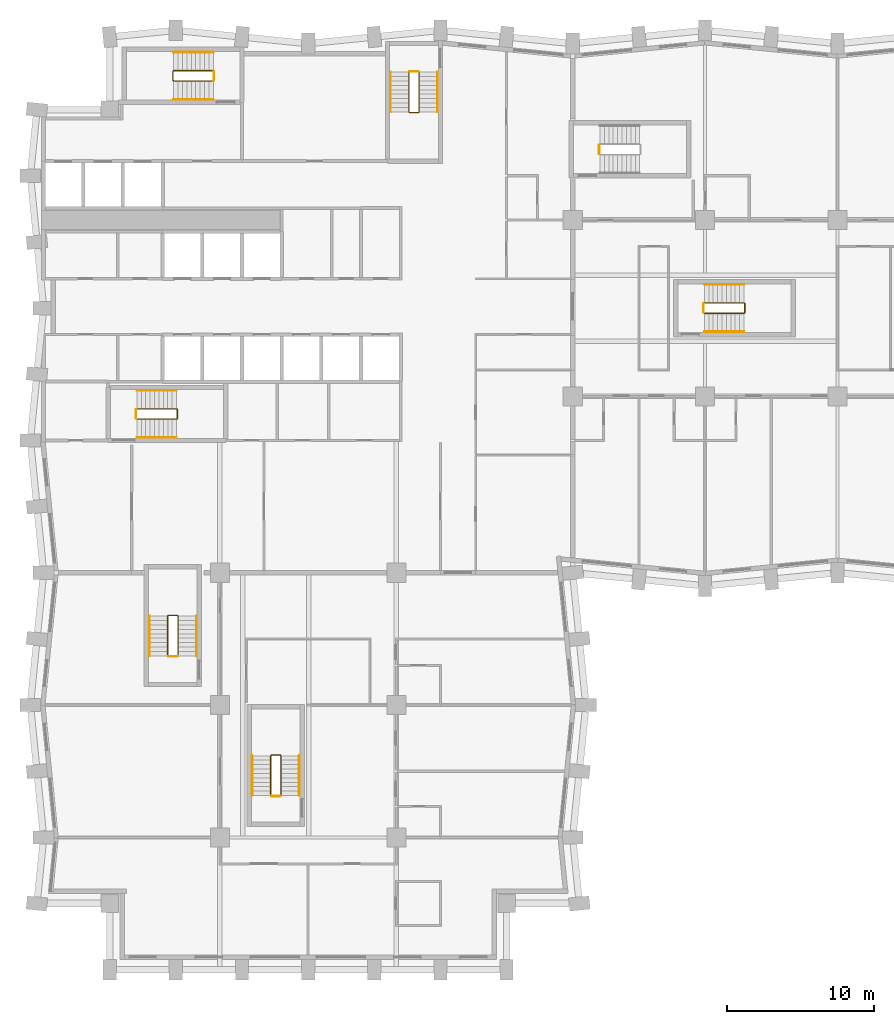
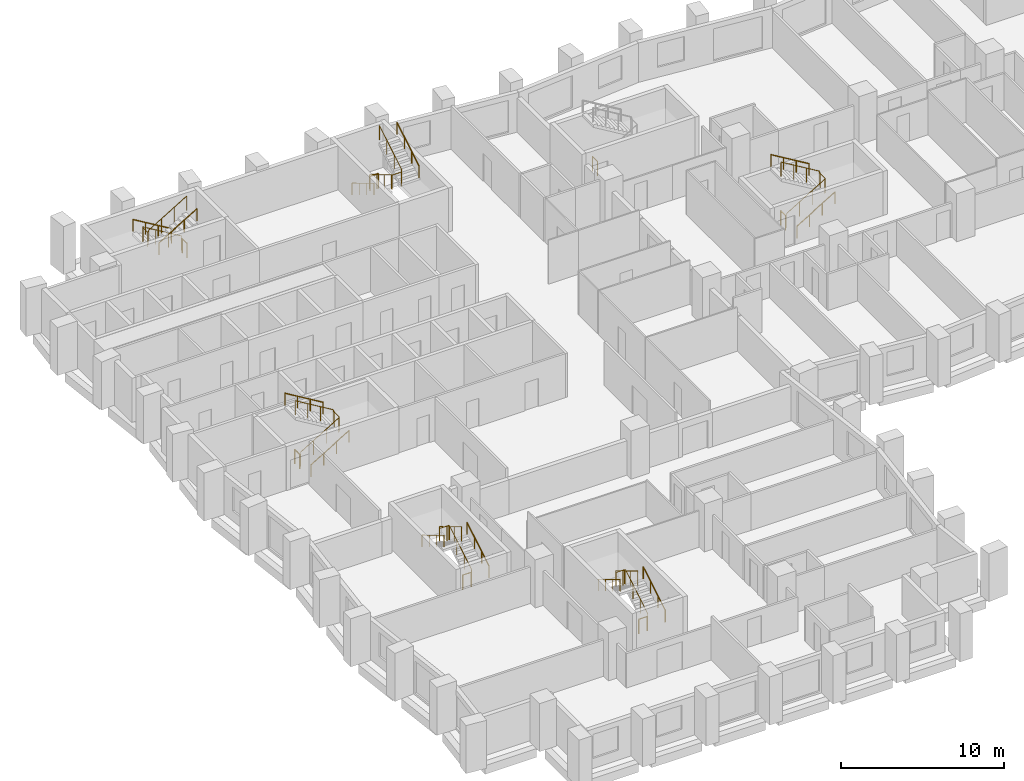
# One storey, part 11 of 12: 25 railings.
"""IFC4 building model written with IfcOpenShell, lengths in metres."""

from ifc_helpers import new_model, si_unit, direction, frame, origin, origin_2d, place, context, subcontext, project, spatial, circle, extrude, material, type_object, element, save


model = new_model("IFC4")

# Units and contexts
model_context = context("Model", 3, precision=1e-05, world=origin(), true_north=direction((0.0, 1.0)))
body_context = subcontext(model_context, "Body", "Model", "MODEL_VIEW")
ifc_project = project(units=[si_unit("LENGTHUNIT", "METRE"), si_unit("AREAUNIT", "SQUARE_METRE"), si_unit("VOLUMEUNIT", "CUBIC_METRE"), si_unit("PLANEANGLEUNIT", "RADIAN"), si_unit("MASSUNIT", "GRAM", prefix="KILO")], contexts=[model_context])

# Site, building, storey
site_placement = place(None, origin())
site = spatial("IfcSite", under=ifc_project, at=site_placement, CompositionType="ELEMENT")
building_placement = place(site_placement, origin())
building = spatial("IfcBuilding", under=site, at=building_placement, Name="Brondeck Convention Tower", CompositionType="ELEMENT")
storey_placement = place(building_placement, frame((0.0, 0.0, 77.10009765625)))
storey = spatial("IfcBuildingStorey", under=building, at=storey_placement, Name="L17", CompositionType="ELEMENT", Elevation=77.10009765625)

# Railings
ifc_material = material(Name="Steel S355", Category="steel")
railing_type_1 = type_object("IfcRailingType", Name="Stair guard 1100", PredefinedType="GUARDRAIL", material=ifc_material)
railing_1_placement = place(storey_placement, frame((6.35009765625, 37.449951171875, 0.179931640625)))
element("IfcRailing", 1, at=railing_1_placement, inside=storey, type_object=railing_type_1, Name="L17 ST-1 stair guard 1", PredefinedType="GUARDRAIL", context=body_context, shape_type="SweptSolid", body=[
    extrude(circle(Radius=0.02392578125, at=origin_2d()), frame((0.0, 0.0, 1.076171875), z_axis=(0.857506608807, 0.0, 0.514472949583), x_axis=(0.0, 1.0, 0.0)), (0.0, 0.0, 1.0), 3.148681640625),
    extrude(circle(Radius=0.02392578125, at=origin_2d()), frame((2.699951171875, 0.0, 2.69580078125), z_axis=(0.707106781187, 0.707106781187, 0.0), x_axis=(-0.707106781187, 0.707106781187, 0.0)), (0.0, 0.0, 1.0), 0.07080078125),
    extrude(circle(Radius=0.02392578125, at=origin_2d()), frame((2.75, 0.050048828125, 2.69580078125), z_axis=(0.0, 1.0, 0.0), x_axis=(-1.0, 0.0, 0.0)), (0.0, 0.0, 1.0), 0.60009765625),
    extrude(circle(Radius=0.02392578125, at=origin_2d()), frame((2.75, 0.650146484375, 2.69580078125), z_axis=(-0.258627984543, 0.257366384619, 0.931060744355), x_axis=(-0.705375805398, -0.708833529934, 0.0)), (0.0, 0.0, 1.0), 0.193603515625),
    extrude(circle(Radius=0.02392578125, at=origin_2d()), frame((2.699951171875, 0.699951171875, 2.8759765625), z_axis=(-0.857506608807, 0.0, 0.514472949583), x_axis=(0.0, -1.0, 0.0)), (0.0, 0.0, 1.0), 3.148681640625),
    extrude(circle(Radius=0.02099609375, at=origin_2d()), origin(), (0.0, 0.0, 1.0), 1.052001953125),
    extrude(circle(Radius=0.02099609375, at=origin_2d()), frame((0.89990234375, 0.0, 0.5400390625)), (0.0, 0.0, 1.0), 1.052001953125),
    extrude(circle(Radius=0.02099609375, at=origin_2d()), frame((1.800048828125, 0.0, 1.079833984375)), (0.0, 0.0, 1.0), 1.052001953125),
    extrude(circle(Radius=0.02099609375, at=origin_2d()), frame((2.699951171875, 0.0, 1.619873046875)), (0.0, 0.0, 1.0), 1.052001953125),
    extrude(circle(Radius=0.02099609375, at=origin_2d()), frame((2.75, 0.050048828125, 1.619873046875)), (0.0, 0.0, 1.0), 1.052001953125),
    extrude(circle(Radius=0.02099609375, at=origin_2d()), frame((2.75, 0.650146484375, 1.619873046875)), (0.0, 0.0, 1.0), 1.052001953125),
    extrude(circle(Radius=0.02099609375, at=origin_2d()), frame((2.699951171875, 0.699951171875, 1.800048828125)), (0.0, 0.0, 1.0), 1.052001953125),
    extrude(circle(Radius=0.02099609375, at=origin_2d()), frame((1.800048828125, 0.699951171875, 2.340087890625)), (0.0, 0.0, 1.0), 1.052001953125),
    extrude(circle(Radius=0.02099609375, at=origin_2d()), frame((0.89990234375, 0.699951171875, 2.8798828125)), (0.0, 0.0, 1.0), 1.052001953125),
    extrude(circle(Radius=0.02099609375, at=origin_2d()), frame((0.0, 0.699951171875, 3.419921875)), (0.0, 0.0, 1.0), 1.052001953125),
])
railing_2_placement = place(storey_placement, frame((6.300048828125, 37.5, 0.0)))
element("IfcRailing", 2, at=railing_2_placement, inside=storey, type_object=railing_type_1, Name="L17 ST-1 stair guard 2", PredefinedType="GUARDRAIL", context=body_context, shape_type="SweptSolid", body=[
    extrude(circle(Radius=0.02392578125, at=origin_2d()), frame((0.0, 0.0, 1.076171875), z_axis=(0.0, 1.0, 0.0), x_axis=(-1.0, 0.0, 0.0)), (0.0, 0.0, 1.0), 0.60009765625),
    extrude(circle(Radius=0.02099609375, at=origin_2d()), origin(), (0.0, 0.0, 1.0), 1.052001953125),
    extrude(circle(Radius=0.02099609375, at=origin_2d()), frame((0.0, 0.60009765625, 0.0)), (0.0, 0.0, 1.0), 1.052001953125),
])
railing_3_placement = place(storey_placement, frame((24.85009765625, 61.050048828125, 0.179931640625)))
element("IfcRailing", 3, at=railing_3_placement, inside=storey, type_object=railing_type_1, Name="L17 ST-2 stair guard 1", PredefinedType="GUARDRAIL", context=body_context, shape_type="SweptSolid", body=[
    extrude(circle(Radius=0.02392578125, at=origin_2d()), frame((0.0, 0.0, 1.076171875), z_axis=(0.0, -0.857506608807, 0.514472949583), x_axis=(1.0, 0.0, 0.0)), (0.0, 0.0, 1.0), 3.148681640625),
    extrude(circle(Radius=0.02392578125, at=origin_2d()), frame((0.0, -2.699951171875, 2.69580078125), z_axis=(0.705375805398, -0.708833529934, 0.0), x_axis=(0.708833529934, 0.705375805398, 0.0)), (0.0, 0.0, 1.0), 0.070556640625),
    extrude(circle(Radius=0.02392578125, at=origin_2d()), frame((0.0498046875, -2.75, 2.69580078125), z_axis=(1.0, 0.0, 0.0), x_axis=(0.0, 1.0, 0.0)), (0.0, 0.0, 1.0), 0.60009765625),
    extrude(circle(Radius=0.02392578125, at=origin_2d()), frame((0.64990234375, -2.75, 2.69580078125), z_axis=(0.258543844998, 0.258543844998, 0.930757841991), x_axis=(-0.707106781187, 0.707106781187, 0.0)), (0.0, 0.0, 1.0), 0.193603515625),
    extrude(circle(Radius=0.02392578125, at=origin_2d()), frame((0.699951171875, -2.699951171875, 2.8759765625), z_axis=(0.0, 0.857506608807, 0.514472949583), x_axis=(-1.0, 0.0, 0.0)), (0.0, 0.0, 1.0), 3.148681640625),
    extrude(circle(Radius=0.02099609375, at=origin_2d()), origin(), (0.0, 0.0, 1.0), 1.052001953125),
    extrude(circle(Radius=0.02099609375, at=origin_2d()), frame((0.0, -0.89990234375, 0.5400390625)), (0.0, 0.0, 1.0), 1.052001953125),
    extrude(circle(Radius=0.02099609375, at=origin_2d()), frame((0.0, -1.800048828125, 1.079833984375)), (0.0, 0.0, 1.0), 1.052001953125),
    extrude(circle(Radius=0.02099609375, at=origin_2d()), frame((0.0, -2.699951171875, 1.619873046875)), (0.0, 0.0, 1.0), 1.052001953125),
    extrude(circle(Radius=0.02099609375, at=origin_2d()), frame((0.0498046875, -2.75, 1.619873046875)), (0.0, 0.0, 1.0), 1.052001953125),
    extrude(circle(Radius=0.02099609375, at=origin_2d()), frame((0.64990234375, -2.75, 1.619873046875)), (0.0, 0.0, 1.0), 1.052001953125),
    extrude(circle(Radius=0.02099609375, at=origin_2d()), frame((0.699951171875, -2.699951171875, 1.800048828125)), (0.0, 0.0, 1.0), 1.052001953125),
    extrude(circle(Radius=0.02099609375, at=origin_2d()), frame((0.699951171875, -1.800048828125, 2.340087890625)), (0.0, 0.0, 1.0), 1.052001953125),
    extrude(circle(Radius=0.02099609375, at=origin_2d()), frame((0.699951171875, -0.89990234375, 2.8798828125)), (0.0, 0.0, 1.0), 1.052001953125),
    extrude(circle(Radius=0.02099609375, at=origin_2d()), frame((0.699951171875, 0.0, 3.419921875)), (0.0, 0.0, 1.0), 1.052001953125),
])
railing_4_placement = place(storey_placement, frame((24.89990234375, 61.10009765625, 0.0)))
element("IfcRailing", 4, at=railing_4_placement, inside=storey, type_object=railing_type_1, Name="L17 ST-2 stair guard 2", PredefinedType="GUARDRAIL", context=body_context, shape_type="SweptSolid", body=[
    extrude(circle(Radius=0.02392578125, at=origin_2d()), frame((0.0, 0.0, 1.076171875), z_axis=(1.0, 0.0, 0.0), x_axis=(0.0, 1.0, 0.0)), (0.0, 0.0, 1.0), 0.60009765625),
    extrude(circle(Radius=0.02099609375, at=origin_2d()), origin(), (0.0, 0.0, 1.0), 1.052001953125),
    extrude(circle(Radius=0.02099609375, at=origin_2d()), frame((0.60009765625, 0.0, 0.0)), (0.0, 0.0, 1.0), 1.052001953125),
])
railing_5_placement = place(storey_placement, frame((11.550048828125, 61.14990234375, 0.179931640625)))
element("IfcRailing", 5, at=railing_5_placement, inside=storey, type_object=railing_type_1, Name="L17 ST-3 stair guard 1", PredefinedType="GUARDRAIL", context=body_context, shape_type="SweptSolid", body=[
    extrude(circle(Radius=0.02392578125, at=origin_2d()), frame((0.0, 0.0, 1.076171875), z_axis=(-0.857506608807, 0.0, 0.514472949583), x_axis=(0.0, -1.0, 0.0)), (0.0, 0.0, 1.0), 3.148681640625),
    extrude(circle(Radius=0.02392578125, at=origin_2d()), frame((-2.699951171875, 0.0, 2.69580078125), z_axis=(-0.708833529934, -0.705375805398, 0.0), x_axis=(0.705375805398, -0.708833529934, 0.0)), (0.0, 0.0, 1.0), 0.070556640625),
    extrude(circle(Radius=0.02392578125, at=origin_2d()), frame((-2.75, -0.0498046875, 2.69580078125), z_axis=(0.0, -1.0, 0.0), x_axis=(1.0, 0.0, 0.0)), (0.0, 0.0, 1.0), 0.60009765625),
    extrude(circle(Radius=0.02392578125, at=origin_2d()), frame((-2.75, -0.64990234375, 2.69580078125), z_axis=(0.258543844998, -0.258543844998, 0.930757841991), x_axis=(0.707106781187, 0.707106781187, 0.0)), (0.0, 0.0, 1.0), 0.193603515625),
    extrude(circle(Radius=0.02392578125, at=origin_2d()), frame((-2.699951171875, -0.699951171875, 2.8759765625), z_axis=(0.857506608807, 0.0, 0.514472949583), x_axis=(0.0, 1.0, 0.0)), (0.0, 0.0, 1.0), 3.148681640625),
    extrude(circle(Radius=0.02099609375, at=origin_2d()), origin(), (0.0, 0.0, 1.0), 1.052001953125),
    extrude(circle(Radius=0.02099609375, at=origin_2d()), frame((-0.89990234375, 0.0, 0.5400390625)), (0.0, 0.0, 1.0), 1.052001953125),
    extrude(circle(Radius=0.02099609375, at=origin_2d()), frame((-1.800048828125, 0.0, 1.079833984375)), (0.0, 0.0, 1.0), 1.052001953125),
    extrude(circle(Radius=0.02099609375, at=origin_2d()), frame((-2.699951171875, 0.0, 1.619873046875)), (0.0, 0.0, 1.0), 1.052001953125),
    extrude(circle(Radius=0.02099609375, at=origin_2d()), frame((-2.75, -0.0498046875, 1.619873046875)), (0.0, 0.0, 1.0), 1.052001953125),
    extrude(circle(Radius=0.02099609375, at=origin_2d()), frame((-2.75, -0.64990234375, 1.619873046875)), (0.0, 0.0, 1.0), 1.052001953125),
    extrude(circle(Radius=0.02099609375, at=origin_2d()), frame((-2.699951171875, -0.699951171875, 1.800048828125)), (0.0, 0.0, 1.0), 1.052001953125),
    extrude(circle(Radius=0.02099609375, at=origin_2d()), frame((-1.800048828125, -0.699951171875, 2.340087890625)), (0.0, 0.0, 1.0), 1.052001953125),
    extrude(circle(Radius=0.02099609375, at=origin_2d()), frame((-0.89990234375, -0.699951171875, 2.8798828125)), (0.0, 0.0, 1.0), 1.052001953125),
    extrude(circle(Radius=0.02099609375, at=origin_2d()), frame((0.0, -0.699951171875, 3.419921875)), (0.0, 0.0, 1.0), 1.052001953125),
])
railing_6_placement = place(storey_placement, frame((11.60009765625, 61.10009765625, 0.0)))
element("IfcRailing", 6, at=railing_6_placement, inside=storey, type_object=railing_type_1, Name="L17 ST-3 stair guard 2", PredefinedType="GUARDRAIL", context=body_context, shape_type="SweptSolid", body=[
    extrude(circle(Radius=0.02392578125, at=origin_2d()), frame((0.0, 0.0, 1.076171875), z_axis=(0.0, -1.0, 0.0), x_axis=(1.0, 0.0, 0.0)), (0.0, 0.0, 1.0), 0.60009765625),
    extrude(circle(Radius=0.02099609375, at=origin_2d()), origin(), (0.0, 0.0, 1.0), 1.052001953125),
    extrude(circle(Radius=0.02099609375, at=origin_2d()), frame((0.0, -0.60009765625, 0.0)), (0.0, 0.0, 1.0), 1.052001953125),
])
railing_7_placement = place(storey_placement, frame((37.800048828125, 55.5, 0.0)))
element("IfcRailing", 7, at=railing_7_placement, inside=storey, type_object=railing_type_1, Name="L17 ST-AE stair guard 2", PredefinedType="GUARDRAIL", context=body_context, shape_type="SweptSolid", body=[
    extrude(circle(Radius=0.02392578125, at=origin_2d()), frame((0.0, 0.0, 1.076171875), z_axis=(0.0, 1.0, 0.0), x_axis=(-1.0, 0.0, 0.0)), (0.0, 0.0, 1.0), 0.60009765625),
    extrude(circle(Radius=0.02099609375, at=origin_2d()), origin(), (0.0, 0.0, 1.0), 1.052001953125),
    extrude(circle(Radius=0.02099609375, at=origin_2d()), frame((0.0, 0.60009765625, 0.0)), (0.0, 0.0, 1.0), 1.052001953125),
])
railing_8_placement = place(storey_placement, frame((9.14990234375, 21.35009765625, 0.179931640625)))
element("IfcRailing", 8, at=railing_8_placement, inside=storey, type_object=railing_type_1, Name="L17 ST-BE stair guard 1", PredefinedType="GUARDRAIL", context=body_context, shape_type="SweptSolid", body=[
    extrude(circle(Radius=0.02392578125, at=origin_2d()), frame((0.0, 0.0, 1.076171875), z_axis=(0.0, 0.857506608807, 0.514472949583), x_axis=(-1.0, 0.0, 0.0)), (0.0, 0.0, 1.0), 3.148681640625),
    extrude(circle(Radius=0.02392578125, at=origin_2d()), frame((0.0, 2.699951171875, 2.69580078125), z_axis=(-0.705375805398, 0.708833529934, 0.0), x_axis=(-0.708833529934, -0.705375805398, 0.0)), (0.0, 0.0, 1.0), 0.070556640625),
    extrude(circle(Radius=0.02392578125, at=origin_2d()), frame((-0.0498046875, 2.75, 2.69580078125), z_axis=(-1.0, 0.0, 0.0), x_axis=(0.0, -1.0, 0.0)), (0.0, 0.0, 1.0), 0.60009765625),
    extrude(circle(Radius=0.02392578125, at=origin_2d()), frame((-0.64990234375, 2.75, 2.69580078125), z_axis=(-0.258543844998, -0.258543844998, 0.930757841991), x_axis=(0.707106781187, -0.707106781187, 0.0)), (0.0, 0.0, 1.0), 0.193603515625),
    extrude(circle(Radius=0.02392578125, at=origin_2d()), frame((-0.699951171875, 2.699951171875, 2.8759765625), z_axis=(0.0, -0.857506608807, 0.514472949583), x_axis=(1.0, 0.0, 0.0)), (0.0, 0.0, 1.0), 3.148681640625),
    extrude(circle(Radius=0.02099609375, at=origin_2d()), origin(), (0.0, 0.0, 1.0), 1.052001953125),
    extrude(circle(Radius=0.02099609375, at=origin_2d()), frame((0.0, 0.89990234375, 0.5400390625)), (0.0, 0.0, 1.0), 1.052001953125),
    extrude(circle(Radius=0.02099609375, at=origin_2d()), frame((0.0, 1.800048828125, 1.079833984375)), (0.0, 0.0, 1.0), 1.052001953125),
    extrude(circle(Radius=0.02099609375, at=origin_2d()), frame((0.0, 2.699951171875, 1.619873046875)), (0.0, 0.0, 1.0), 1.052001953125),
    extrude(circle(Radius=0.02099609375, at=origin_2d()), frame((-0.0498046875, 2.75, 1.619873046875)), (0.0, 0.0, 1.0), 1.052001953125),
    extrude(circle(Radius=0.02099609375, at=origin_2d()), frame((-0.64990234375, 2.75, 1.619873046875)), (0.0, 0.0, 1.0), 1.052001953125),
    extrude(circle(Radius=0.02099609375, at=origin_2d()), frame((-0.699951171875, 2.699951171875, 1.800048828125)), (0.0, 0.0, 1.0), 1.052001953125),
    extrude(circle(Radius=0.02099609375, at=origin_2d()), frame((-0.699951171875, 1.800048828125, 2.340087890625)), (0.0, 0.0, 1.0), 1.052001953125),
    extrude(circle(Radius=0.02099609375, at=origin_2d()), frame((-0.699951171875, 0.89990234375, 2.8798828125)), (0.0, 0.0, 1.0), 1.052001953125),
    extrude(circle(Radius=0.02099609375, at=origin_2d()), frame((-0.699951171875, 0.0, 3.419921875)), (0.0, 0.0, 1.0), 1.052001953125),
])
railing_9_placement = place(storey_placement, frame((9.10009765625, 21.300048828125, 0.0)))
element("IfcRailing", 9, at=railing_9_placement, inside=storey, type_object=railing_type_1, Name="L17 ST-BE stair guard 2", PredefinedType="GUARDRAIL", context=body_context, shape_type="SweptSolid", body=[
    extrude(circle(Radius=0.02392578125, at=origin_2d()), frame((0.0, 0.0, 1.076171875), z_axis=(-1.0, 0.0, 0.0), x_axis=(0.0, -1.0, 0.0)), (0.0, 0.0, 1.0), 0.60009765625),
    extrude(circle(Radius=0.02099609375, at=origin_2d()), origin(), (0.0, 0.0, 1.0), 1.052001953125),
    extrude(circle(Radius=0.02099609375, at=origin_2d()), frame((-0.60009765625, 0.0, 0.0)), (0.0, 0.0, 1.0), 1.052001953125),
])
railing_10_placement = place(storey_placement, frame((44.949951171875, 44.64990234375, 0.179931640625)))
element("IfcRailing", 10, at=railing_10_placement, inside=storey, type_object=railing_type_1, Name="L17 ST-AF stair guard 1", PredefinedType="GUARDRAIL", context=body_context, shape_type="SweptSolid", body=[
    extrude(circle(Radius=0.02392578125, at=origin_2d()), frame((0.0, 0.0, 1.076171875), z_axis=(0.857506608807, 0.0, 0.514472949583), x_axis=(0.0, 1.0, 0.0)), (0.0, 0.0, 1.0), 3.148681640625),
    extrude(circle(Radius=0.02392578125, at=origin_2d()), frame((2.699951171875, 0.0, 2.69580078125), z_axis=(0.707106781187, 0.707106781187, 0.0), x_axis=(-0.707106781187, 0.707106781187, 0.0)), (0.0, 0.0, 1.0), 0.07080078125),
    extrude(circle(Radius=0.02392578125, at=origin_2d()), frame((2.75, 0.050048828125, 2.69580078125), z_axis=(0.0, 1.0, 0.0), x_axis=(-1.0, 0.0, 0.0)), (0.0, 0.0, 1.0), 0.60009765625),
    extrude(circle(Radius=0.02392578125, at=origin_2d()), frame((2.75, 0.650146484375, 2.69580078125), z_axis=(-0.258543844998, 0.258543844998, 0.930757841991), x_axis=(-0.707106781187, -0.707106781187, 0.0)), (0.0, 0.0, 1.0), 0.193603515625),
    extrude(circle(Radius=0.02392578125, at=origin_2d()), frame((2.699951171875, 0.7001953125, 2.8759765625), z_axis=(-0.857506608807, 0.0, 0.514472949583), x_axis=(0.0, -1.0, 0.0)), (0.0, 0.0, 1.0), 3.148681640625),
    extrude(circle(Radius=0.02099609375, at=origin_2d()), origin(), (0.0, 0.0, 1.0), 1.052001953125),
    extrude(circle(Radius=0.02099609375, at=origin_2d()), frame((0.89990234375, 0.0, 0.5400390625)), (0.0, 0.0, 1.0), 1.052001953125),
    extrude(circle(Radius=0.02099609375, at=origin_2d()), frame((1.800048828125, 0.0, 1.079833984375)), (0.0, 0.0, 1.0), 1.052001953125),
    extrude(circle(Radius=0.02099609375, at=origin_2d()), frame((2.699951171875, 0.0, 1.619873046875)), (0.0, 0.0, 1.0), 1.052001953125),
    extrude(circle(Radius=0.02099609375, at=origin_2d()), frame((2.75, 0.050048828125, 1.619873046875)), (0.0, 0.0, 1.0), 1.052001953125),
    extrude(circle(Radius=0.02099609375, at=origin_2d()), frame((2.75, 0.650146484375, 1.619873046875)), (0.0, 0.0, 1.0), 1.052001953125),
    extrude(circle(Radius=0.02099609375, at=origin_2d()), frame((2.699951171875, 0.7001953125, 1.800048828125)), (0.0, 0.0, 1.0), 1.052001953125),
    extrude(circle(Radius=0.02099609375, at=origin_2d()), frame((1.800048828125, 0.7001953125, 2.340087890625)), (0.0, 0.0, 1.0), 1.052001953125),
    extrude(circle(Radius=0.02099609375, at=origin_2d()), frame((0.89990234375, 0.7001953125, 2.8798828125)), (0.0, 0.0, 1.0), 1.052001953125),
    extrude(circle(Radius=0.02099609375, at=origin_2d()), frame((0.0, 0.7001953125, 3.419921875)), (0.0, 0.0, 1.0), 1.052001953125),
])
railing_11_placement = place(storey_placement, frame((44.89990234375, 44.699951171875, 0.0)))
element("IfcRailing", 11, at=railing_11_placement, inside=storey, type_object=railing_type_1, Name="L17 ST-AF stair guard 2", PredefinedType="GUARDRAIL", context=body_context, shape_type="SweptSolid", body=[
    extrude(circle(Radius=0.02392578125, at=origin_2d()), frame((0.0, 0.0, 1.076171875), z_axis=(0.0, 1.0, 0.0), x_axis=(-1.0, 0.0, 0.0)), (0.0, 0.0, 1.0), 0.60009765625),
    extrude(circle(Radius=0.02099609375, at=origin_2d()), origin(), (0.0, 0.0, 1.0), 1.052001953125),
    extrude(circle(Radius=0.02099609375, at=origin_2d()), frame((0.0, 0.60009765625, 0.0)), (0.0, 0.0, 1.0), 1.052001953125),
])
railing_12_placement = place(storey_placement, frame((16.14990234375, 11.85009765625, 0.179931640625)))
element("IfcRailing", 12, at=railing_12_placement, inside=storey, type_object=railing_type_1, Name="L17 ST-BF stair guard 1", PredefinedType="GUARDRAIL", context=body_context, shape_type="SweptSolid", body=[
    extrude(circle(Radius=0.02392578125, at=origin_2d()), frame((0.0, 0.0, 1.076171875), z_axis=(0.0, 0.857506608807, 0.514472949583), x_axis=(-1.0, 0.0, 0.0)), (0.0, 0.0, 1.0), 3.148681640625),
    extrude(circle(Radius=0.02392578125, at=origin_2d()), frame((0.0, 2.699951171875, 2.69580078125), z_axis=(-0.705375805398, 0.708833529934, 0.0), x_axis=(-0.708833529934, -0.705375805398, 0.0)), (0.0, 0.0, 1.0), 0.070556640625),
    extrude(circle(Radius=0.02392578125, at=origin_2d()), frame((-0.0498046875, 2.75, 2.69580078125), z_axis=(-1.0, 0.0, 0.0), x_axis=(0.0, -1.0, 0.0)), (0.0, 0.0, 1.0), 0.60009765625),
    extrude(circle(Radius=0.02392578125, at=origin_2d()), frame((-0.64990234375, 2.75, 2.69580078125), z_axis=(-0.258543844998, -0.258543844998, 0.930757841991), x_axis=(0.707106781187, -0.707106781187, 0.0)), (0.0, 0.0, 1.0), 0.193603515625),
    extrude(circle(Radius=0.02392578125, at=origin_2d()), frame((-0.699951171875, 2.699951171875, 2.8759765625), z_axis=(0.0, -0.857506608807, 0.514472949583), x_axis=(1.0, 0.0, 0.0)), (0.0, 0.0, 1.0), 3.148681640625),
    extrude(circle(Radius=0.02099609375, at=origin_2d()), origin(), (0.0, 0.0, 1.0), 1.052001953125),
    extrude(circle(Radius=0.02099609375, at=origin_2d()), frame((0.0, 0.89990234375, 0.5400390625)), (0.0, 0.0, 1.0), 1.052001953125),
    extrude(circle(Radius=0.02099609375, at=origin_2d()), frame((0.0, 1.800048828125, 1.079833984375)), (0.0, 0.0, 1.0), 1.052001953125),
    extrude(circle(Radius=0.02099609375, at=origin_2d()), frame((0.0, 2.699951171875, 1.619873046875)), (0.0, 0.0, 1.0), 1.052001953125),
    extrude(circle(Radius=0.02099609375, at=origin_2d()), frame((-0.0498046875, 2.75, 1.619873046875)), (0.0, 0.0, 1.0), 1.052001953125),
    extrude(circle(Radius=0.02099609375, at=origin_2d()), frame((-0.64990234375, 2.75, 1.619873046875)), (0.0, 0.0, 1.0), 1.052001953125),
    extrude(circle(Radius=0.02099609375, at=origin_2d()), frame((-0.699951171875, 2.699951171875, 1.800048828125)), (0.0, 0.0, 1.0), 1.052001953125),
    extrude(circle(Radius=0.02099609375, at=origin_2d()), frame((-0.699951171875, 1.800048828125, 2.340087890625)), (0.0, 0.0, 1.0), 1.052001953125),
    extrude(circle(Radius=0.02099609375, at=origin_2d()), frame((-0.699951171875, 0.89990234375, 2.8798828125)), (0.0, 0.0, 1.0), 1.052001953125),
    extrude(circle(Radius=0.02099609375, at=origin_2d()), frame((-0.699951171875, 0.0, 3.419921875)), (0.0, 0.0, 1.0), 1.052001953125),
])
railing_13_placement = place(storey_placement, frame((16.10009765625, 11.800048828125, 0.0)))
element("IfcRailing", 13, at=railing_13_placement, inside=storey, type_object=railing_type_1, Name="L17 ST-BF stair guard 2", PredefinedType="GUARDRAIL", context=body_context, shape_type="SweptSolid", body=[
    extrude(circle(Radius=0.02392578125, at=origin_2d()), frame((0.0, 0.0, 1.076171875), z_axis=(-1.0, 0.0, 0.0), x_axis=(0.0, -1.0, 0.0)), (0.0, 0.0, 1.0), 0.60009765625),
    extrude(circle(Radius=0.02099609375, at=origin_2d()), origin(), (0.0, 0.0, 1.0), 1.052001953125),
    extrude(circle(Radius=0.02099609375, at=origin_2d()), frame((-0.60009765625, 0.0, 0.0)), (0.0, 0.0, 1.0), 1.052001953125),
])
railing_type_2 = type_object("IfcRailingType", Name="Stair handrail", PredefinedType="HANDRAIL", material=ifc_material)
railing_14_placement = place(storey_placement, frame((6.35009765625, 36.199951171875, 0.179931640625)))
element("IfcRailing", 14, at=railing_14_placement, inside=storey, type_object=railing_type_2, Name="L17 ST-1 stair handrail 1", PredefinedType="HANDRAIL", context=body_context, shape_type="SweptSolid", body=[
    extrude(circle(Radius=0.02392578125, at=origin_2d()), frame((0.0, 0.0, 0.8759765625), z_axis=(0.857506608807, 0.0, 0.514472949583), x_axis=(0.0, 1.0, 0.0)), (0.0, 0.0, 1.0), 3.148681640625),
    extrude(circle(Radius=0.02099609375, at=origin_2d()), origin(), (0.0, 0.0, 1.0), 0.851806640625),
    extrude(circle(Radius=0.02099609375, at=origin_2d()), frame((0.89990234375, 0.0, 0.5400390625)), (0.0, 0.0, 1.0), 0.851806640625),
    extrude(circle(Radius=0.02099609375, at=origin_2d()), frame((1.800048828125, 0.0, 1.079833984375)), (0.0, 0.0, 1.0), 0.851806640625),
    extrude(circle(Radius=0.02099609375, at=origin_2d()), frame((2.699951171875, 0.0, 1.619873046875)), (0.0, 0.0, 1.0), 0.851806640625),
])
railing_15_placement = place(storey_placement, frame((9.050048828125, 39.39990234375, 1.97998046875)))
element("IfcRailing", 15, at=railing_15_placement, inside=storey, type_object=railing_type_2, Name="L17 ST-1 stair handrail 2", PredefinedType="HANDRAIL", context=body_context, shape_type="SweptSolid", body=[
    extrude(circle(Radius=0.02392578125, at=origin_2d()), frame((0.0, 0.0, 0.8759765625), z_axis=(-0.857506608807, 0.0, 0.514472949583), x_axis=(0.0, -1.0, 0.0)), (0.0, 0.0, 1.0), 3.148681640625),
    extrude(circle(Radius=0.02099609375, at=origin_2d()), origin(), (0.0, 0.0, 1.0), 0.851806640625),
    extrude(circle(Radius=0.02099609375, at=origin_2d()), frame((-0.89990234375, 0.0, 0.5400390625)), (0.0, 0.0, 1.0), 0.851806640625),
    extrude(circle(Radius=0.02099609375, at=origin_2d()), frame((-1.800048828125, 0.0, 1.079833984375)), (0.0, 0.0, 1.0), 0.851806640625),
    extrude(circle(Radius=0.02099609375, at=origin_2d()), frame((-2.699951171875, 0.0, 1.619873046875)), (0.0, 0.0, 1.0), 0.851806640625),
])
railing_16_placement = place(storey_placement, frame((23.60009765625, 61.050048828125, 0.179931640625)))
element("IfcRailing", 16, at=railing_16_placement, inside=storey, type_object=railing_type_2, Name="L17 ST-2 stair handrail 1", PredefinedType="HANDRAIL", context=body_context, shape_type="SweptSolid", body=[
    extrude(circle(Radius=0.02392578125, at=origin_2d()), frame((0.0, 0.0, 0.8759765625), z_axis=(0.0, -0.857506608807, 0.514472949583), x_axis=(1.0, 0.0, 0.0)), (0.0, 0.0, 1.0), 3.148681640625),
    extrude(circle(Radius=0.02099609375, at=origin_2d()), origin(), (0.0, 0.0, 1.0), 0.851806640625),
    extrude(circle(Radius=0.02099609375, at=origin_2d()), frame((0.0, -0.89990234375, 0.5400390625)), (0.0, 0.0, 1.0), 0.851806640625),
    extrude(circle(Radius=0.02099609375, at=origin_2d()), frame((0.0, -1.800048828125, 1.079833984375)), (0.0, 0.0, 1.0), 0.851806640625),
    extrude(circle(Radius=0.02099609375, at=origin_2d()), frame((0.0, -2.699951171875, 1.619873046875)), (0.0, 0.0, 1.0), 0.851806640625),
])
railing_17_placement = place(storey_placement, frame((26.800048828125, 58.35009765625, 1.97998046875)))
element("IfcRailing", 17, at=railing_17_placement, inside=storey, type_object=railing_type_2, Name="L17 ST-2 stair handrail 2", PredefinedType="HANDRAIL", context=body_context, shape_type="SweptSolid", body=[
    extrude(circle(Radius=0.02392578125, at=origin_2d()), frame((0.0, 0.0, 0.8759765625), z_axis=(0.0, 0.857506608807, 0.514472949583), x_axis=(-1.0, 0.0, 0.0)), (0.0, 0.0, 1.0), 3.148681640625),
    extrude(circle(Radius=0.02099609375, at=origin_2d()), origin(), (0.0, 0.0, 1.0), 0.851806640625),
    extrude(circle(Radius=0.02099609375, at=origin_2d()), frame((0.0, 0.89990234375, 0.5400390625)), (0.0, 0.0, 1.0), 0.851806640625),
    extrude(circle(Radius=0.02099609375, at=origin_2d()), frame((0.0, 1.800048828125, 1.079833984375)), (0.0, 0.0, 1.0), 0.851806640625),
    extrude(circle(Radius=0.02099609375, at=origin_2d()), frame((0.0, 2.699951171875, 1.619873046875)), (0.0, 0.0, 1.0), 0.851806640625),
])
railing_18_placement = place(storey_placement, frame((11.550048828125, 62.39990234375, 0.179931640625)))
element("IfcRailing", 18, at=railing_18_placement, inside=storey, type_object=railing_type_2, Name="L17 ST-3 stair handrail 1", PredefinedType="HANDRAIL", context=body_context, shape_type="SweptSolid", body=[
    extrude(circle(Radius=0.02392578125, at=origin_2d()), frame((0.0, 0.0, 0.8759765625), z_axis=(-0.857506608807, 0.0, 0.514472949583), x_axis=(0.0, -1.0, 0.0)), (0.0, 0.0, 1.0), 3.148681640625),
    extrude(circle(Radius=0.02099609375, at=origin_2d()), origin(), (0.0, 0.0, 1.0), 0.851806640625),
    extrude(circle(Radius=0.02099609375, at=origin_2d()), frame((-0.89990234375, 0.0, 0.5400390625)), (0.0, 0.0, 1.0), 0.851806640625),
    extrude(circle(Radius=0.02099609375, at=origin_2d()), frame((-1.800048828125, 0.0, 1.079833984375)), (0.0, 0.0, 1.0), 0.851806640625),
    extrude(circle(Radius=0.02099609375, at=origin_2d()), frame((-2.699951171875, 0.0, 1.619873046875)), (0.0, 0.0, 1.0), 0.851806640625),
])
railing_19_placement = place(storey_placement, frame((8.85009765625, 59.199951171875, 1.97998046875)))
element("IfcRailing", 19, at=railing_19_placement, inside=storey, type_object=railing_type_2, Name="L17 ST-3 stair handrail 2", PredefinedType="HANDRAIL", context=body_context, shape_type="SweptSolid", body=[
    extrude(circle(Radius=0.02392578125, at=origin_2d()), frame((0.0, 0.0, 0.8759765625), z_axis=(0.857506608807, 0.0, 0.514472949583), x_axis=(0.0, 1.0, 0.0)), (0.0, 0.0, 1.0), 3.148681640625),
    extrude(circle(Radius=0.02099609375, at=origin_2d()), origin(), (0.0, 0.0, 1.0), 0.851806640625),
    extrude(circle(Radius=0.02099609375, at=origin_2d()), frame((0.89990234375, 0.0, 0.5400390625)), (0.0, 0.0, 1.0), 0.851806640625),
    extrude(circle(Radius=0.02099609375, at=origin_2d()), frame((1.800048828125, 0.0, 1.079833984375)), (0.0, 0.0, 1.0), 0.851806640625),
    extrude(circle(Radius=0.02099609375, at=origin_2d()), frame((2.699951171875, 0.0, 1.619873046875)), (0.0, 0.0, 1.0), 0.851806640625),
])
railing_20_placement = place(storey_placement, frame((10.39990234375, 21.35009765625, 0.179931640625)))
element("IfcRailing", 20, at=railing_20_placement, inside=storey, type_object=railing_type_2, Name="L17 ST-BE stair handrail 1", PredefinedType="HANDRAIL", context=body_context, shape_type="SweptSolid", body=[
    extrude(circle(Radius=0.02392578125, at=origin_2d()), frame((0.0, 0.0, 0.8759765625), z_axis=(0.0, 0.857506608807, 0.514472949583), x_axis=(-1.0, 0.0, 0.0)), (0.0, 0.0, 1.0), 3.148681640625),
    extrude(circle(Radius=0.02099609375, at=origin_2d()), origin(), (0.0, 0.0, 1.0), 0.851806640625),
    extrude(circle(Radius=0.02099609375, at=origin_2d()), frame((0.0, 0.89990234375, 0.5400390625)), (0.0, 0.0, 1.0), 0.851806640625),
    extrude(circle(Radius=0.02099609375, at=origin_2d()), frame((0.0, 1.800048828125, 1.079833984375)), (0.0, 0.0, 1.0), 0.851806640625),
    extrude(circle(Radius=0.02099609375, at=origin_2d()), frame((0.0, 2.699951171875, 1.619873046875)), (0.0, 0.0, 1.0), 0.851806640625),
])
railing_21_placement = place(storey_placement, frame((7.199951171875, 24.050048828125, 1.97998046875)))
element("IfcRailing", 21, at=railing_21_placement, inside=storey, type_object=railing_type_2, Name="L17 ST-BE stair handrail 2", PredefinedType="HANDRAIL", context=body_context, shape_type="SweptSolid", body=[
    extrude(circle(Radius=0.02392578125, at=origin_2d()), frame((0.0, 0.0, 0.8759765625), z_axis=(0.0, -0.857506608807, 0.514472949583), x_axis=(1.0, 0.0, 0.0)), (0.0, 0.0, 1.0), 3.148681640625),
    extrude(circle(Radius=0.02099609375, at=origin_2d()), origin(), (0.0, 0.0, 1.0), 0.851806640625),
    extrude(circle(Radius=0.02099609375, at=origin_2d()), frame((0.0, -0.89990234375, 0.5400390625)), (0.0, 0.0, 1.0), 0.851806640625),
    extrude(circle(Radius=0.02099609375, at=origin_2d()), frame((0.0, -1.800048828125, 1.079833984375)), (0.0, 0.0, 1.0), 0.851806640625),
    extrude(circle(Radius=0.02099609375, at=origin_2d()), frame((0.0, -2.699951171875, 1.619873046875)), (0.0, 0.0, 1.0), 0.851806640625),
])
railing_22_placement = place(storey_placement, frame((44.949951171875, 43.39990234375, 0.179931640625)))
element("IfcRailing", 22, at=railing_22_placement, inside=storey, type_object=railing_type_2, Name="L17 ST-AF stair handrail 1", PredefinedType="HANDRAIL", context=body_context, shape_type="SweptSolid", body=[
    extrude(circle(Radius=0.02392578125, at=origin_2d()), frame((0.0, 0.0, 0.8759765625), z_axis=(0.857506608807, 0.0, 0.514472949583), x_axis=(0.0, 1.0, 0.0)), (0.0, 0.0, 1.0), 3.148681640625),
    extrude(circle(Radius=0.02099609375, at=origin_2d()), origin(), (0.0, 0.0, 1.0), 0.851806640625),
    extrude(circle(Radius=0.02099609375, at=origin_2d()), frame((0.89990234375, 0.0, 0.5400390625)), (0.0, 0.0, 1.0), 0.851806640625),
    extrude(circle(Radius=0.02099609375, at=origin_2d()), frame((1.800048828125, 0.0, 1.079833984375)), (0.0, 0.0, 1.0), 0.851806640625),
    extrude(circle(Radius=0.02099609375, at=origin_2d()), frame((2.699951171875, 0.0, 1.619873046875)), (0.0, 0.0, 1.0), 0.851806640625),
])
railing_23_placement = place(storey_placement, frame((47.64990234375, 46.60009765625, 1.97998046875)))
element("IfcRailing", 23, at=railing_23_placement, inside=storey, type_object=railing_type_2, Name="L17 ST-AF stair handrail 2", PredefinedType="HANDRAIL", context=body_context, shape_type="SweptSolid", body=[
    extrude(circle(Radius=0.02392578125, at=origin_2d()), frame((0.0, 0.0, 0.8759765625), z_axis=(-0.857506608807, 0.0, 0.514472949583), x_axis=(0.0, -1.0, 0.0)), (0.0, 0.0, 1.0), 3.148681640625),
    extrude(circle(Radius=0.02099609375, at=origin_2d()), origin(), (0.0, 0.0, 1.0), 0.851806640625),
    extrude(circle(Radius=0.02099609375, at=origin_2d()), frame((-0.89990234375, 0.0, 0.5400390625)), (0.0, 0.0, 1.0), 0.851806640625),
    extrude(circle(Radius=0.02099609375, at=origin_2d()), frame((-1.800048828125, 0.0, 1.079833984375)), (0.0, 0.0, 1.0), 0.851806640625),
    extrude(circle(Radius=0.02099609375, at=origin_2d()), frame((-2.699951171875, 0.0, 1.619873046875)), (0.0, 0.0, 1.0), 0.851806640625),
])
railing_24_placement = place(storey_placement, frame((17.39990234375, 11.85009765625, 0.179931640625)))
element("IfcRailing", 24, at=railing_24_placement, inside=storey, type_object=railing_type_2, Name="L17 ST-BF stair handrail 1", PredefinedType="HANDRAIL", context=body_context, shape_type="SweptSolid", body=[
    extrude(circle(Radius=0.02392578125, at=origin_2d()), frame((0.0, 0.0, 0.8759765625), z_axis=(0.0, 0.857506608807, 0.514472949583), x_axis=(-1.0, 0.0, 0.0)), (0.0, 0.0, 1.0), 3.148681640625),
    extrude(circle(Radius=0.02099609375, at=origin_2d()), origin(), (0.0, 0.0, 1.0), 0.851806640625),
    extrude(circle(Radius=0.02099609375, at=origin_2d()), frame((0.0, 0.89990234375, 0.5400390625)), (0.0, 0.0, 1.0), 0.851806640625),
    extrude(circle(Radius=0.02099609375, at=origin_2d()), frame((0.0, 1.800048828125, 1.079833984375)), (0.0, 0.0, 1.0), 0.851806640625),
    extrude(circle(Radius=0.02099609375, at=origin_2d()), frame((0.0, 2.699951171875, 1.619873046875)), (0.0, 0.0, 1.0), 0.851806640625),
])
railing_25_placement = place(storey_placement, frame((14.199951171875, 14.550048828125, 1.97998046875)))
element("IfcRailing", 25, at=railing_25_placement, inside=storey, type_object=railing_type_2, Name="L17 ST-BF stair handrail 2", PredefinedType="HANDRAIL", context=body_context, shape_type="SweptSolid", body=[
    extrude(circle(Radius=0.02392578125, at=origin_2d()), frame((0.0, 0.0, 0.8759765625), z_axis=(0.0, -0.857506608807, 0.514472949583), x_axis=(1.0, 0.0, 0.0)), (0.0, 0.0, 1.0), 3.148681640625),
    extrude(circle(Radius=0.02099609375, at=origin_2d()), origin(), (0.0, 0.0, 1.0), 0.851806640625),
    extrude(circle(Radius=0.02099609375, at=origin_2d()), frame((0.0, -0.89990234375, 0.5400390625)), (0.0, 0.0, 1.0), 0.851806640625),
    extrude(circle(Radius=0.02099609375, at=origin_2d()), frame((0.0, -1.800048828125, 1.079833984375)), (0.0, 0.0, 1.0), 0.851806640625),
    extrude(circle(Radius=0.02099609375, at=origin_2d()), frame((0.0, -2.699951171875, 1.619873046875)), (0.0, 0.0, 1.0), 0.851806640625),
])

save(model, "model.ifc")
